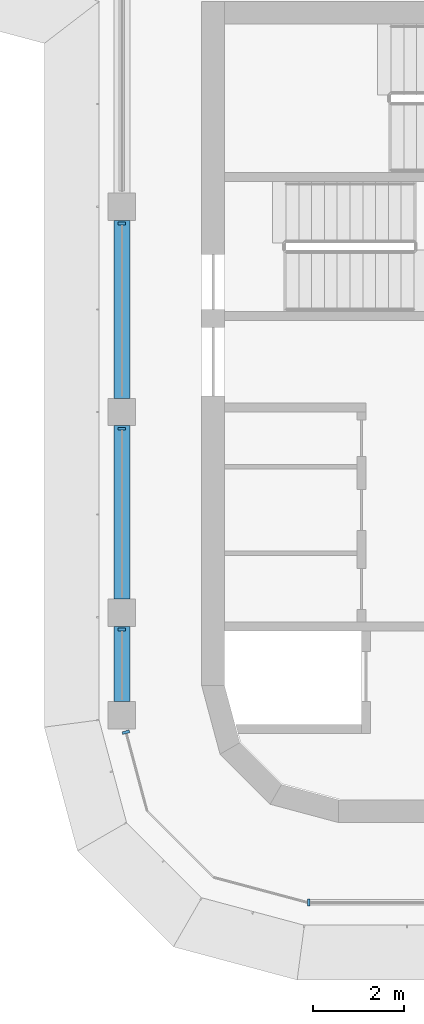
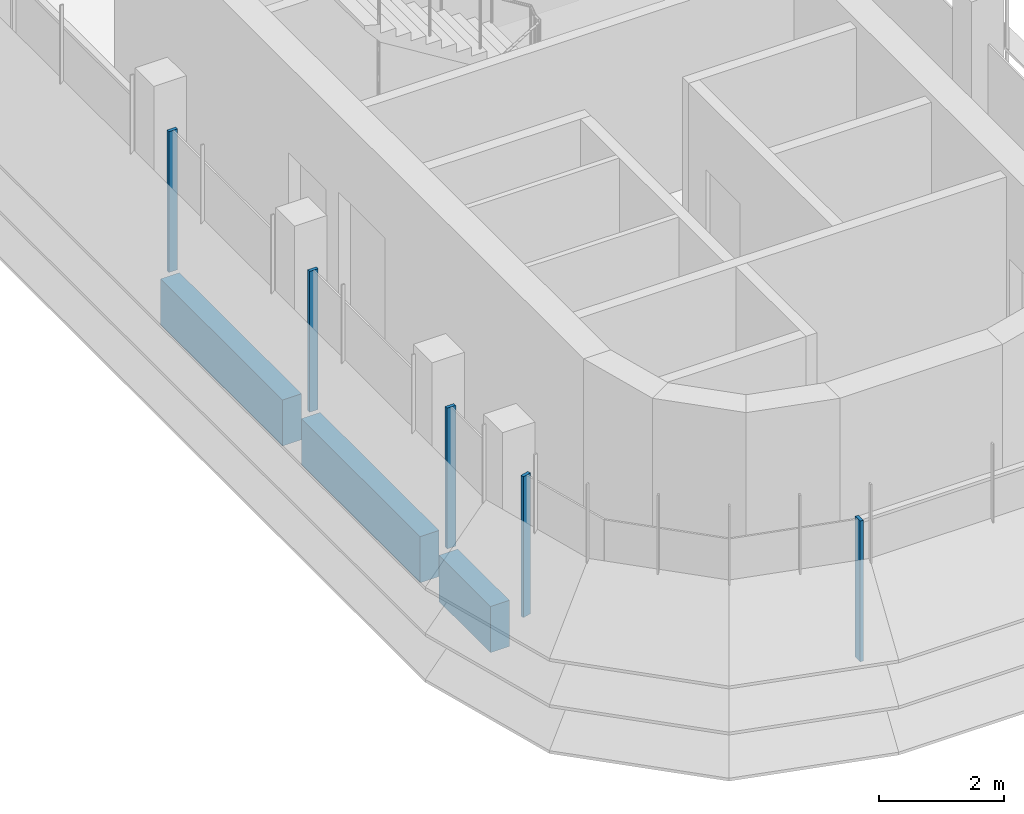
# One storey, part 2 of 19: 5 members, 3 beams, 3 elements without a shape of their own.
"""IFC4 building model written with IfcOpenShell, lengths in metres."""

from ifc_helpers import new_model, si_unit, direction, frame, origin, origin_2d, place, context, subcontext, project, spatial, polyline, rectangle, outline, extrude, source, transform, mapped, material, material_profile, profile_set, type_object, element, aggregate, save


model = new_model("IFC4")

# Units and contexts
model_context = context("Model", 3, precision=1e-05, world=origin(), true_north=direction((0.0, 1.0)))
body_context = subcontext(model_context, "Body", "Model", "MODEL_VIEW")
ifc_project = project(units=[si_unit("LENGTHUNIT", "METRE"), si_unit("AREAUNIT", "SQUARE_METRE"), si_unit("VOLUMEUNIT", "CUBIC_METRE"), si_unit("PLANEANGLEUNIT", "RADIAN"), si_unit("MASSUNIT", "GRAM", prefix="KILO")], contexts=[model_context])

# Site, building, storey
site_placement = place(None, origin())
site = spatial("IfcSite", under=ifc_project, at=site_placement, CompositionType="ELEMENT")
building_placement = place(site_placement, origin())
building = spatial("IfcBuilding", under=site, at=building_placement, Name="Zarbagh Exchange Tower", CompositionType="ELEMENT")
storey_placement = place(building_placement, frame((0.0, 0.0, 268.800048828125)))
storey = spatial("IfcBuildingStorey", under=building, at=storey_placement, Name="L66", CompositionType="ELEMENT", Elevation=268.800048828125)

# Beams
ifc_material_1 = material(Name="Concrete C40/50", Category="concrete")
ifc_material_profile = material_profile(ifc_material_1, rectangle(XDim=0.35009765625, YDim=0.89990234375, at=origin_2d()), Name="RC spandrel beam 350 x 900 C40/50")
ifc_profile_set = profile_set([ifc_material_profile], Name="Concrete C40/50")
beam_type = type_object("IfcBeamType", Name="RC spandrel beam 350 x 900 C40/50", PredefinedType="SPANDREL", material=ifc_profile_set)
beam_1_placement = place(storey_placement, frame((-6.25, -26.60009765625, -0.60009765625), z_axis=(0.0, 1.0, 0.0), x_axis=(-1.0, 0.0, 0.0)))
element("IfcBeam", 1, at=beam_1_placement, inside=storey, type_object=beam_type, Name="RC spandrel beam", PredefinedType="SPANDREL", context=body_context, shape_type="SweptSolid", body=[
    extrude(rectangle(XDim=0.35009765625, YDim=0.89990234375, at=origin_2d()), origin(), (0.0, 0.0, 1.0), 1.650146484375),
])
beam_2_placement = place(storey_placement, frame((-6.25, -24.35009765625, -0.60009765625), z_axis=(0.0, 1.0, 0.0), x_axis=(-1.0, 0.0, 0.0)))
element("IfcBeam", 2, at=beam_2_placement, inside=storey, type_object=beam_type, Name="RC spandrel beam", PredefinedType="SPANDREL", context=body_context, shape_type="SweptSolid", body=[
    extrude(rectangle(XDim=0.35009765625, YDim=0.89990234375, at=origin_2d()), origin(), (0.0, 0.0, 1.0), 3.800048828125),
])
beam_3_placement = place(storey_placement, frame((-6.25, -19.949951171875, -0.60009765625), z_axis=(0.0, 1.0, 0.0), x_axis=(-1.0, 0.0, 0.0)))
element("IfcBeam", 3, at=beam_3_placement, inside=storey, type_object=beam_type, Name="RC spandrel beam", PredefinedType="SPANDREL", context=body_context, shape_type="SweptSolid", body=[
    extrude(rectangle(XDim=0.35009765625, YDim=0.89990234375, at=origin_2d()), origin(), (0.0, 0.0, 1.0), 3.89990234375),
])

# Curtain wall, members
ifc_material_2 = material(Name="Anodised aluminium frame and glazing", Category="aluminium")
curtain_wall_type = type_object("IfcCurtainWallType", Name="CWB Ribbon glazing, upper zones", PredefinedType="NOTDEFINED", material=ifc_material_2)
curtain_wall_1_placement = place(storey_placement, origin())
curtain_wall_1 = element("IfcCurtainWall", 4, at=curtain_wall_1_placement, inside=storey, type_object=curtain_wall_type, Name="CWB53 curtain wall", PredefinedType="NOTDEFINED")
ifc_material_3 = material(Name="Anodised aluminium frame", Category="aluminium")
member_type = type_object("IfcMemberType", Name="MUB Mullion, anodised aluminium frame", PredefinedType="MULLION", material=ifc_material_3)
shared_shape = source(origin(), body_context, "Body", "SweptSolid", [
    extrude(outline(polyline([(0.0, -0.080078125), (0.06005859375, -0.080078125), (0.06005859375, 0.080078125), (0.0, 0.080078125), (0.0, -0.080078125)])), origin(), (0.0, 0.0, 1.0), 2.75),
])
placement = place(storey_placement, origin())
member_1 = element("IfcMember", 5, at=placement, type_object=member_type, Name="CWB53 mullion 2.1", PredefinedType="MULLION", context=body_context, shape_type="MappedRepresentation", body=[
    mapped(shared_shape, transform((-6.25, -16.090087890625, 0.0), x_axis=(0.0, -1.0, 0.0), y_axis=(1.0, 0.0, 0.0), z_axis=(0.0, 0.0, 1.0))),
])
member_2 = element("IfcMember", 6, at=placement, type_object=member_type, Name="CWB53 mullion 3.1", PredefinedType="MULLION", context=body_context, shape_type="MappedRepresentation", body=[
    mapped(shared_shape, transform((-6.25, -20.590087890625, 0.0), x_axis=(0.0, -1.0, 0.0), y_axis=(1.0, 0.0, 0.0), z_axis=(0.0, 0.0, 1.0))),
])
member_3 = element("IfcMember", 7, at=placement, type_object=member_type, Name="CWB53 mullion 4.1", PredefinedType="MULLION", context=body_context, shape_type="MappedRepresentation", body=[
    mapped(shared_shape, transform((-6.25, -24.989990234375, 0.0), x_axis=(0.0, -1.0, 0.0), y_axis=(1.0, 0.0, 0.0), z_axis=(0.0, 0.0, 1.0))),
])
aggregate(curtain_wall_1, [member_1, member_2, member_3])

# Curtain wall, member
curtain_wall_2_placement = place(storey_placement, origin())
curtain_wall_2 = element("IfcCurtainWall", 8, at=curtain_wall_2_placement, inside=storey, type_object=curtain_wall_type, Name="CWB54 curtain wall", PredefinedType="NOTDEFINED")
member_4 = element("IfcMember", 9, at=placement, type_object=member_type, Name="CWB54 mullion 1.1", PredefinedType="MULLION", context=body_context, shape_type="MappedRepresentation", body=[
    mapped(shared_shape, transform((-6.16796875, -27.239990234375, 0.0), x_axis=(0.258824779902, -0.965924289636, 0.0), y_axis=(0.965924289636, 0.258824779902, 0.0), z_axis=(0.0, 0.0, 1.0))),
])
aggregate(curtain_wall_2, [member_4])

curtain_wall_3_placement = place(storey_placement, origin())
curtain_wall_3 = element("IfcCurtainWall", 10, at=curtain_wall_3_placement, inside=storey, type_object=curtain_wall_type, Name="CWB57 curtain wall", PredefinedType="NOTDEFINED")
member_5 = element("IfcMember", 11, at=placement, type_object=member_type, Name="CWB57 mullion 1.1", PredefinedType="MULLION", context=body_context, shape_type="MappedRepresentation", body=[
    mapped(shared_shape, transform((-2.18408203125, -31.0, 0.0), x_axis=(1.0, 0.0, 0.0), y_axis=(0.0, 1.0, 0.0), z_axis=(0.0, 0.0, 1.0))),
])
aggregate(curtain_wall_3, [member_5])

save(model, "model.ifc")
